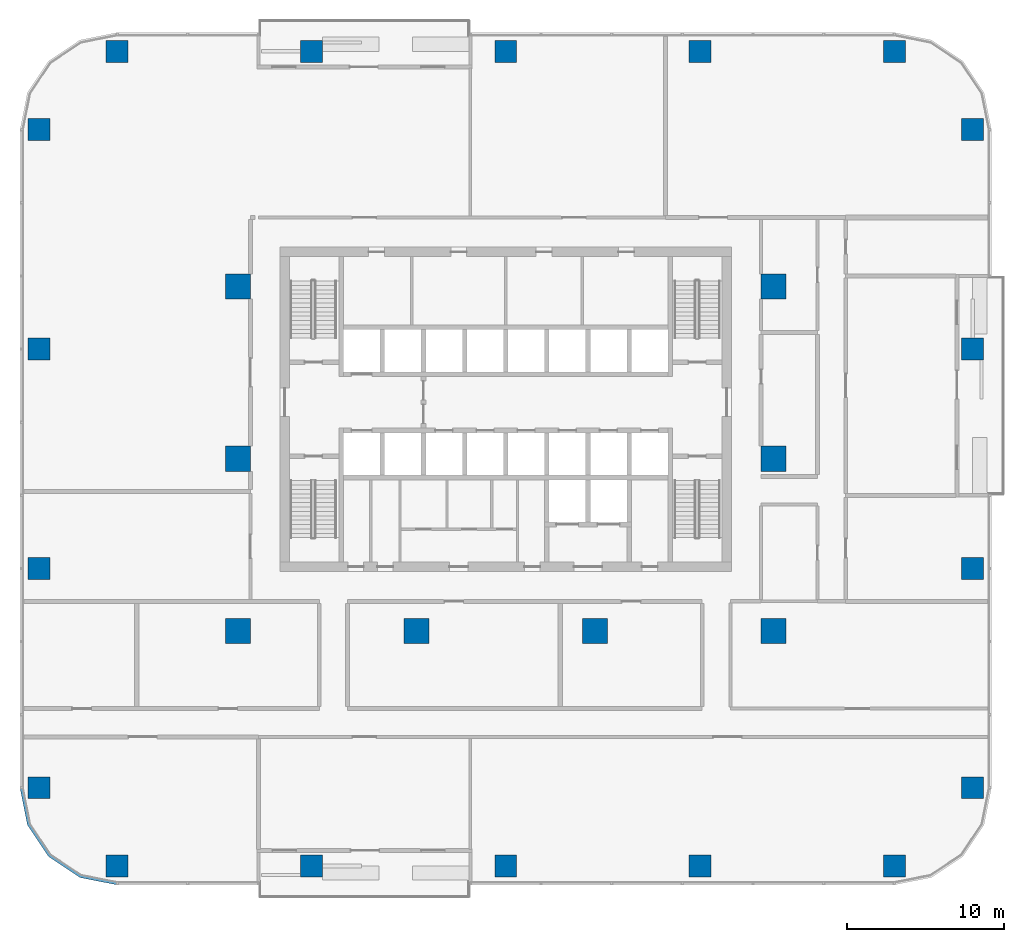
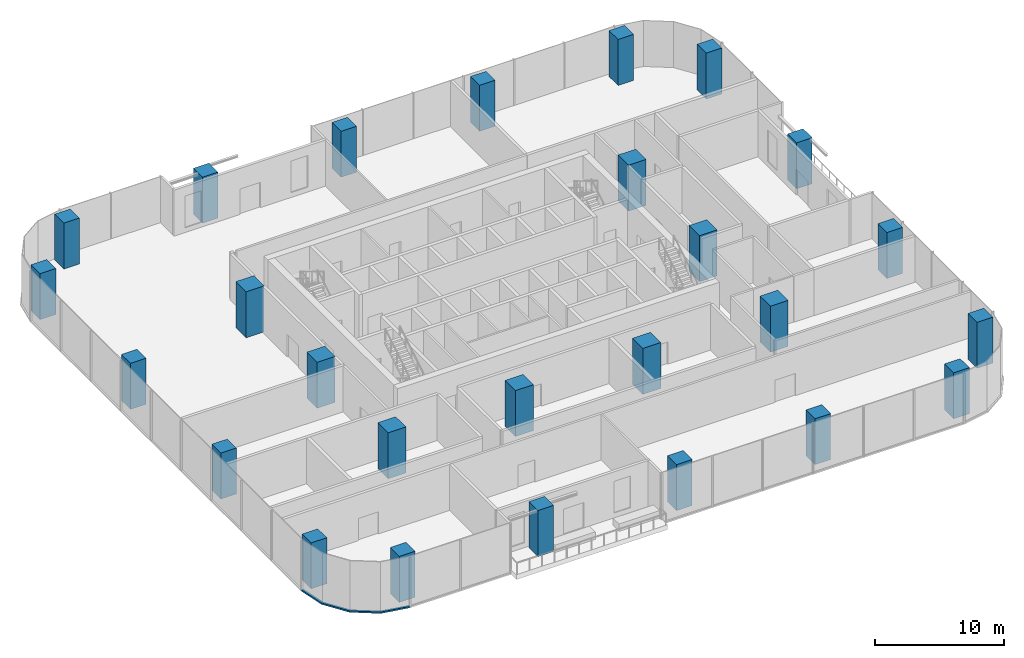
# One storey, part 1 of 15: 26 columns, 1 member, 1 element without a shape of its own.
"""IFC4 building model written with IfcOpenShell, lengths in metres."""

from ifc_helpers import new_model, si_unit, direction, frame, origin, origin_2d, place, context, subcontext, project, spatial, polyline, rectangle, outline, extrude, material, material_profile, profile_set, type_object, element, aggregate, save


model = new_model("IFC4")

# Units and contexts
model_context = context("Model", 3, precision=1e-05, world=origin(), true_north=direction((0.0, 1.0)))
body_context = subcontext(model_context, "Body", "Model", "MODEL_VIEW")
ifc_project = project(units=[si_unit("LENGTHUNIT", "METRE"), si_unit("AREAUNIT", "SQUARE_METRE"), si_unit("VOLUMEUNIT", "CUBIC_METRE"), si_unit("PLANEANGLEUNIT", "RADIAN"), si_unit("MASSUNIT", "GRAM", prefix="KILO")], contexts=[model_context])

# Site, building, storey
site_placement = place(None, origin())
site = spatial("IfcSite", under=ifc_project, at=site_placement, CompositionType="ELEMENT")
building_placement = place(site_placement, origin())
building = spatial("IfcBuilding", under=site, at=building_placement, Name="Mopane Tessera Tower", CompositionType="ELEMENT")
storey_placement = place(building_placement, frame((0.0, 0.0, 64.60009765625)))
storey = spatial("IfcBuildingStorey", under=building, at=storey_placement, Name="L12", CompositionType="ELEMENT", Elevation=64.60009765625)

# Columns
ifc_material_1 = material(Name="Concrete C60/75", Category="concrete")
ifc_material_profile_1 = material_profile(ifc_material_1, rectangle(XDim=1.60009765625, YDim=1.60009765625, at=origin_2d()))
ifc_profile_set_1 = profile_set([ifc_material_profile_1], Name="Concrete C60/75")
column_type_1 = type_object("IfcColumnType", Name="Interior column 1600 x 1600 C60/75", PredefinedType="COLUMN", material=ifc_profile_set_1)
for number, where, z_axis, x_axis, name in (
    (1, (-17.10009765625, -11.0, 0.0), (0.0, 0.0, 1.0), (1.0, 0.0, 0.0), "Interior column I1A L12"),
    (2, (-17.10009765625, 0.0, 0.0), (0.0, 0.0, 1.0), (1.0, 0.0, 0.0), "Interior column I1B L12"),
    (3, (-17.10009765625, 11.0, 0.0), (0.0, 0.0, 1.0), (1.0, 0.0, 0.0), "Interior column I1C L12"),
    (4, (-5.699951171875, -11.0, 0.0), (0.0, 0.0, 1.0), (1.0, 0.0, 0.0), "Interior column I2A L12"),
    (5, (5.699951171875, -11.0, 0.0), (0.0, 0.0, 1.0), (1.0, 0.0, 0.0), "Interior column I3A L12"),
    (6, (17.10009765625, -11.0, 0.0), (0.0, 0.0, 1.0), (1.0, 0.0, 0.0), "Interior column I4A L12"),
    (7, (17.10009765625, 0.0, 0.0), (0.0, 0.0, 1.0), (1.0, 0.0, 0.0), "Interior column I4B L12"),
    (8, (17.10009765625, 11.0, 0.0), (0.0, 0.0, 1.0), (1.0, 0.0, 0.0), "Interior column I4C L12"),
):
    element("IfcColumn", number, at=place(storey_placement, frame(where, z_axis=z_axis, x_axis=x_axis)), inside=storey, type_object=column_type_1, Name=name, PredefinedType="COLUMN", context=body_context, shape_type="SweptSolid", body=[
        extrude(rectangle(XDim=1.60009765625, YDim=1.60009765625, at=origin_2d()), origin(), (0.0, 0.0, 1.0), 4.349853515625),
    ])
ifc_material_2 = material(Name="Concrete C60/75", Category="concrete")
ifc_material_profile_2 = material_profile(ifc_material_2, rectangle(XDim=1.39990234375, YDim=1.39990234375, at=origin_2d()))
ifc_profile_set_2 = profile_set([ifc_material_profile_2], Name="Concrete C60/75")
column_type_2 = type_object("IfcColumnType", Name="Ring column 1400 x 1400 C60/75", PredefinedType="COLUMN", material=ifc_profile_set_2)
for number, where, z_axis, x_axis, name in (
    (9, (-24.800048828125, -26.0, 0.0), (0.0, 0.0, 1.0), (1.0, 0.0, 0.0), "Ring column S0 L12"),
    (10, (-12.39990234375, -26.0, 0.0), (0.0, 0.0, 1.0), (1.0, 0.0, 0.0), "Ring column S1 L12"),
    (11, (0.0, -26.0, 0.0), (0.0, 0.0, 1.0), (1.0, 0.0, 0.0), "Ring column S2 L12"),
    (12, (12.39990234375, -26.0, 0.0), (0.0, 0.0, 1.0), (1.0, 0.0, 0.0), "Ring column S3 L12"),
    (13, (24.800048828125, -26.0, 0.0), (0.0, 0.0, 1.0), (1.0, 0.0, 0.0), "Ring column S4 L12"),
    (14, (29.800048828125, -21.0, 0.0), (0.0, 0.0, 1.0), (1.0, 0.0, 0.0), "Ring column E0 L12"),
    (15, (29.800048828125, -7.0, 0.0), (0.0, 0.0, 1.0), (1.0, 0.0, 0.0), "Ring column E1 L12"),
    (16, (29.800048828125, 7.0, 0.0), (0.0, 0.0, 1.0), (1.0, 0.0, 0.0), "Ring column E2 L12"),
    (17, (29.800048828125, 21.0, 0.0), (0.0, 0.0, 1.0), (1.0, 0.0, 0.0), "Ring column E3 L12"),
    (18, (24.800048828125, 26.0, 0.0), (0.0, 0.0, 1.0), (1.0, 0.0, 0.0), "Ring column N0 L12"),
    (19, (12.39990234375, 26.0, 0.0), (0.0, 0.0, 1.0), (1.0, 0.0, 0.0), "Ring column N1 L12"),
    (20, (0.0, 26.0, 0.0), (0.0, 0.0, 1.0), (1.0, 0.0, 0.0), "Ring column N2 L12"),
    (21, (-12.39990234375, 26.0, 0.0), (0.0, 0.0, 1.0), (1.0, 0.0, 0.0), "Ring column N3 L12"),
    (22, (-24.800048828125, 26.0, 0.0), (0.0, 0.0, 1.0), (1.0, 0.0, 0.0), "Ring column N4 L12"),
    (23, (-29.800048828125, 21.0, 0.0), (0.0, 0.0, 1.0), (1.0, 0.0, 0.0), "Ring column W0 L12"),
    (24, (-29.800048828125, 7.0, 0.0), (0.0, 0.0, 1.0), (1.0, 0.0, 0.0), "Ring column W1 L12"),
    (25, (-29.800048828125, -7.0, 0.0), (0.0, 0.0, 1.0), (1.0, 0.0, 0.0), "Ring column W2 L12"),
    (26, (-29.800048828125, -21.0, 0.0), (0.0, 0.0, 1.0), (1.0, 0.0, 0.0), "Ring column W3 L12"),
):
    element("IfcColumn", number, at=place(storey_placement, frame(where, z_axis=z_axis, x_axis=x_axis)), inside=storey, type_object=column_type_2, Name=name, PredefinedType="COLUMN", context=body_context, shape_type="SweptSolid", body=[
        extrude(rectangle(XDim=1.39990234375, YDim=1.39990234375, at=origin_2d()), origin(), (0.0, 0.0, 1.0), 4.349853515625),
    ])

# Curtain wall, member
ifc_material_3 = material(Name="Aluminium frame", Category="aluminium")
curtain_wall_type = type_object("IfcCurtainWallType", Name="Lower tower unitised wall", PredefinedType="NOTDEFINED", material=ifc_material_3)
curtain_wall_placement = place(storey_placement, origin())
curtain_wall = element("IfcCurtainWall", 27, at=curtain_wall_placement, inside=storey, type_object=curtain_wall_type, Name="e:cw:L12:CW", PredefinedType="NOTDEFINED")
ifc_material_4 = material(Name="Aluminium frame", Category="aluminium")
ifc_material_profile_3 = material_profile(ifc_material_4, rectangle(XDim=0.199951171875, YDim=0.139892578125, at=origin_2d()))
ifc_profile_set_3 = profile_set([ifc_material_profile_3], Name="Aluminium frame")
member_type = type_object("IfcMemberType", Name="Aluminium transom 200 x 140", PredefinedType="USERDEFINED", material=ifc_profile_set_3)
member_placement = place(storey_placement, frame((0.0, 0.0, -0.4501953125)))
member = element("IfcMember", 28, at=member_placement, type_object=member_type, Name="e:cw:L12:CW:tr", ObjectType="TRANSOM", PredefinedType="USERDEFINED", context=body_context, shape_type="SweptSolid", body=[
    extrude(outline(polyline([(-30.800048828125, -21.0), (-30.34326171875, -23.296142578125), (-29.042724609375, -25.24267578125), (-27.09619140625, -26.543212890625), (-24.800048828125, -27.0), (-24.800048828125, -27.199951171875), (-27.172607421875, -26.72802734375), (-29.18408203125, -25.384033203125), (-30.528076171875, -23.37255859375), (-31.0, -21.0), (-30.800048828125, -21.0)])), origin(), (0.0, 0.0, 1.0), 0.14013671875),
])
aggregate(curtain_wall, [member])

save(model, "model.ifc")
